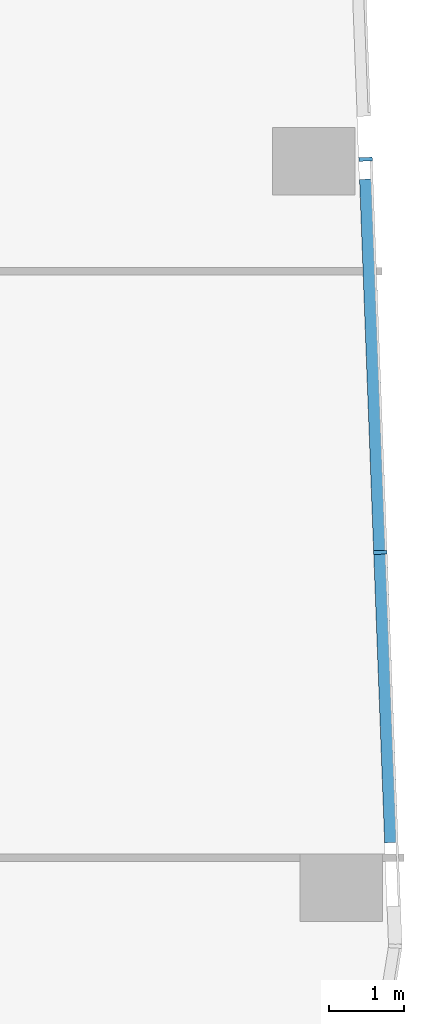
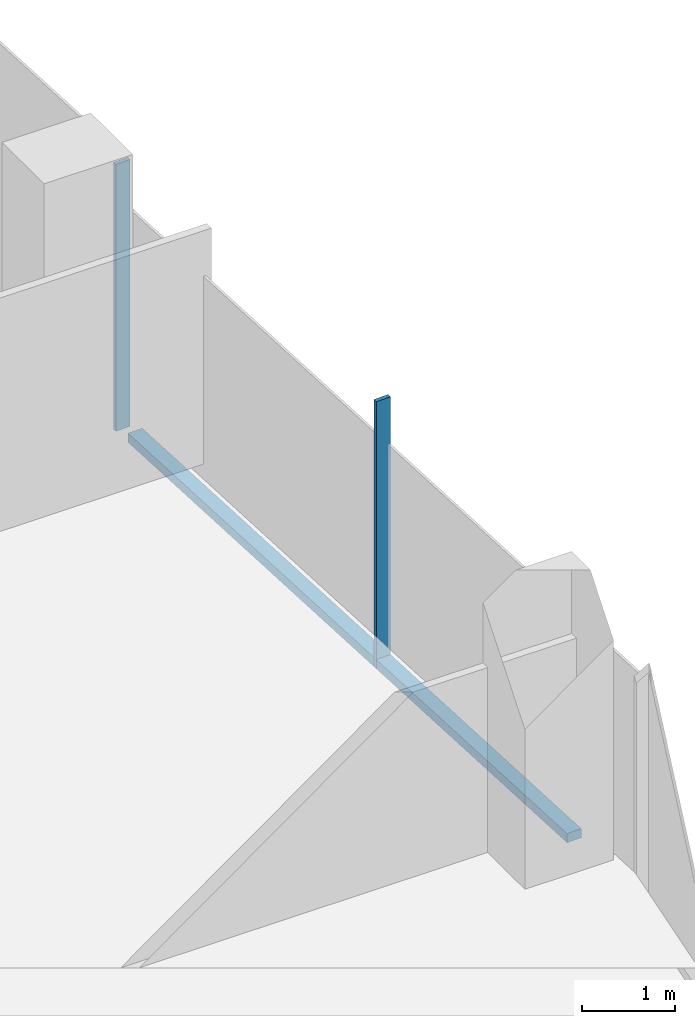
# One storey, part 9 of 23: 3 members, 1 element without a shape of its own.
"""IFC4 building model written with IfcOpenShell, lengths in metres."""

from ifc_helpers import new_model, si_unit, direction, frame, origin, origin_2d, place, context, subcontext, project, spatial, rectangle, extrude, material, material_profile, profile_set, type_object, element, aggregate, save


model = new_model("IFC4")

# Units and contexts
model_context = context("Model", 3, precision=1e-05, world=origin(), true_north=direction((0.0, 1.0)))
body_context = subcontext(model_context, "Body", "Model", "MODEL_VIEW")
ifc_project = project(units=[si_unit("LENGTHUNIT", "METRE"), si_unit("AREAUNIT", "SQUARE_METRE"), si_unit("VOLUMEUNIT", "CUBIC_METRE"), si_unit("PLANEANGLEUNIT", "RADIAN"), si_unit("MASSUNIT", "GRAM", prefix="KILO")], contexts=[model_context])

# Site, building, storey
site_placement = place(None, origin())
site = spatial("IfcSite", under=ifc_project, at=site_placement, CompositionType="ELEMENT")
building_placement = place(site_placement, origin())
building = spatial("IfcBuilding", under=site, at=building_placement, Name="Orlundy Tower", CompositionType="ELEMENT")
storey_placement = place(building_placement, frame((0.0, 0.0, 181.10009765625)))
storey = spatial("IfcBuildingStorey", under=building, at=storey_placement, Name="L47", CompositionType="ELEMENT", Elevation=181.10009765625)

# Curtain wall, members
ifc_material_1 = material(Name="Aluminium bronze anodised", Category="aluminium")
curtain_wall_type = type_object("IfcCurtainWallType", Name="CW1 wall", PredefinedType="NOTDEFINED", material=ifc_material_1)
curtain_wall_placement = place(storey_placement, origin())
curtain_wall = element("IfcCurtainWall", 1, at=curtain_wall_placement, inside=storey, type_object=curtain_wall_type, Name="CW1 run 011", PredefinedType="NOTDEFINED")
ifc_material_2 = material(Name="Aluminium bronze anodised", Category="aluminium")
ifc_material_profile_1 = material_profile(ifc_material_2, rectangle(XDim=0.179931640625, YDim=0.050048828125, at=origin_2d()), Name="CW1 mullion 50x180")
ifc_profile_set_1 = profile_set([ifc_material_profile_1], Name="Aluminium bronze anodised")
member_type_1 = type_object("IfcMemberType", Name="CW1 mullion 50x180", PredefinedType="MULLION", material=ifc_profile_set_1)
member_1_placement = place(storey_placement, frame((39.56201171875, 1.496826171875, -0.420166015625), z_axis=(0.0, 0.0, 1.0), x_axis=(0.999284965389, 0.03780949547, 0.0)))
member_1 = element("IfcMember", 2, at=member_1_placement, type_object=member_type_1, Name="CW1 mullion 34", PredefinedType="MULLION", context=body_context, shape_type="SweptSolid", body=[
    extrude(rectangle(XDim=0.179931640625, YDim=0.050048828125, at=origin_2d()), origin(), (0.0, 0.0, 1.0), 3.5),
])
member_2_placement = place(storey_placement, frame((39.760498046875, -3.749267578125, -0.420166015625), z_axis=(0.0, 0.0, 1.0), x_axis=(0.999284965389, 0.03780949547, 0.0)))
member_2 = element("IfcMember", 3, at=member_2_placement, type_object=member_type_1, Name="CW1 mullion 35", PredefinedType="MULLION", context=body_context, shape_type="SweptSolid", body=[
    extrude(rectangle(XDim=0.179931640625, YDim=0.050048828125, at=origin_2d()), origin(), (0.0, 0.0, 1.0), 3.5),
])
ifc_material_3 = material(Name="Aluminium bronze anodised", Category="aluminium")
ifc_material_profile_2 = material_profile(ifc_material_3, rectangle(XDim=0.179931640625, YDim=0.1201171875, at=origin_2d()), Name="CW1 transom 180x120")
ifc_profile_set_2 = profile_set([ifc_material_profile_2], Name="Aluminium bronze anodised")
member_type_2 = type_object("IfcMemberType", Name="CW1 transom 180x120", PredefinedType="USERDEFINED", material=ifc_profile_set_2)
member_3_placement = place(storey_placement, frame((39.572021484375, 1.23095703125, -0.360107421875), z_axis=(0.037808698194, -0.999284995555, 0.0), x_axis=(0.999284995555, 0.037808698194, 0.0)))
member_3 = element("IfcMember", 4, at=member_3_placement, type_object=member_type_2, Name="CW1 transom", ObjectType="TRANSOM", PredefinedType="USERDEFINED", context=body_context, shape_type="SweptSolid", body=[
    extrude(rectangle(XDim=0.179931640625, YDim=0.1201171875, at=origin_2d()), origin(), (0.0, 0.0, 1.0), 8.859375),
])
aggregate(curtain_wall, [member_1, member_2, member_3])

save(model, "model.ifc")
